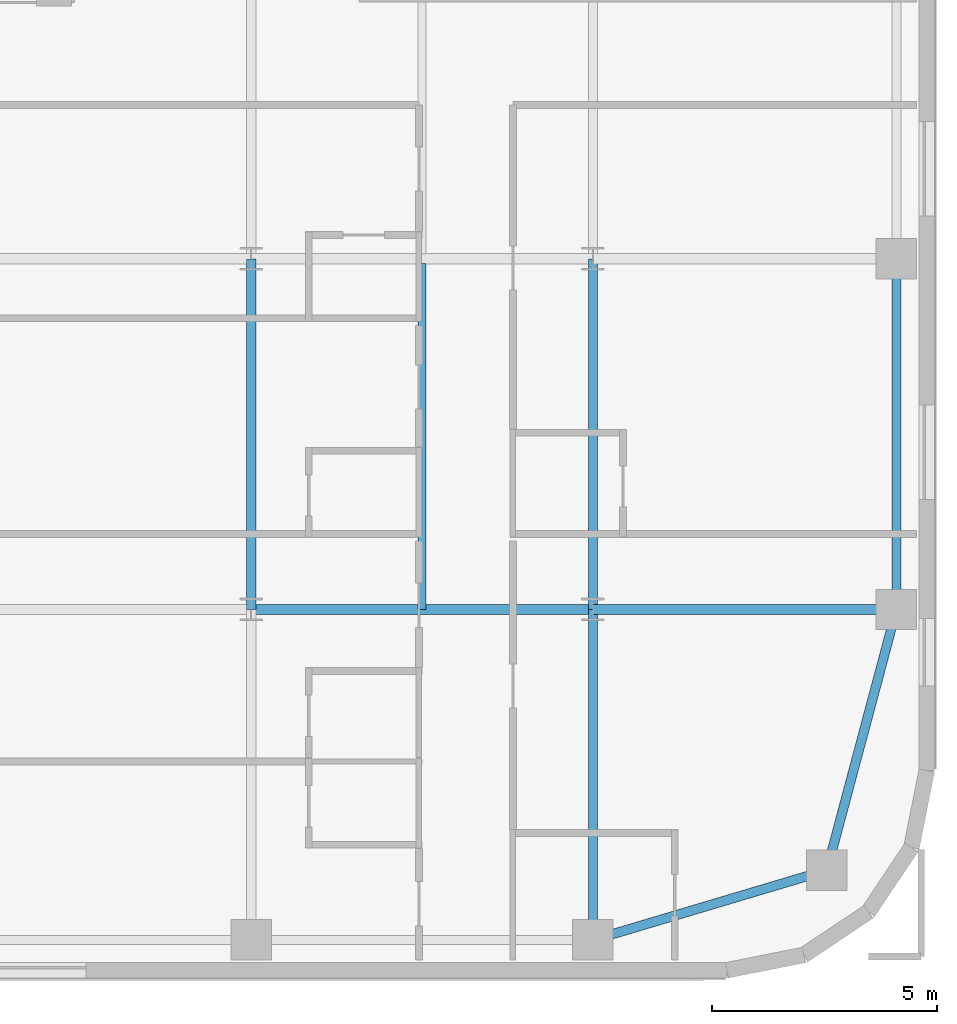
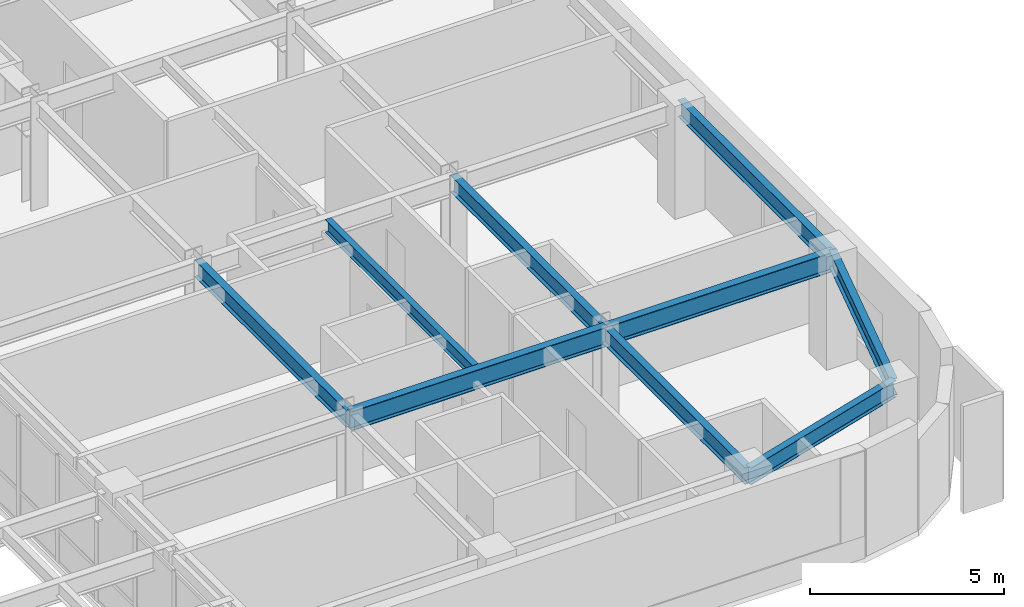
# One storey, part 10 of 24: 9 beams.
"""IFC4 building model written with IfcOpenShell, lengths in metres."""

from ifc_helpers import new_model, si_unit, direction, frame, origin, origin_2d, place, context, subcontext, project, spatial, i_section, extrude, source, transform, mapped, material, material_profile, profile_set, type_object, type_shapes, element, save


model = new_model("IFC4")

# Units and contexts
model_context = context("Model", 3, precision=1e-05, world=origin(), true_north=direction((0.0, 1.0)))
body_context = subcontext(model_context, "Body", "Model", "MODEL_VIEW")
ifc_project = project(units=[si_unit("LENGTHUNIT", "METRE"), si_unit("AREAUNIT", "SQUARE_METRE"), si_unit("VOLUMEUNIT", "CUBIC_METRE"), si_unit("PLANEANGLEUNIT", "RADIAN"), si_unit("MASSUNIT", "GRAM", prefix="KILO")], contexts=[model_context])

# Site, building, storey
site_placement = place(None, origin())
site = spatial("IfcSite", under=ifc_project, at=site_placement, CompositionType="ELEMENT")
building_placement = place(site_placement, origin())
building = spatial("IfcBuilding", under=site, at=building_placement, Name="Tolvann Quenvar Hotel", CompositionType="ELEMENT")
storey_placement = place(building_placement, frame((0.0, 0.0, 118.64990234375)))
storey = spatial("IfcBuildingStorey", under=building, at=storey_placement, Name="L30", CompositionType="ELEMENT", Elevation=118.64990234375)

# Beams
ifc_material = material(Name="Steel Grade 350", Category="steel")
ifc_material_profile_1 = material_profile(ifc_material, i_section(OverallWidth=0.208984375, OverallDepth=0.528076171875, WebThickness=0.009521484375, FlangeThickness=0.01318359375, FilletRadius=0.013916015625, at=origin_2d()), Name="530UB82")
ifc_profile_set_1 = profile_set([ifc_material_profile_1], Name="Steel Grade 350")
beam_type_1 = type_object("IfcBeamType", Name="BM_SPAND_530UB82", PredefinedType="SPANDREL", material=ifc_profile_set_1)
shared_shape_1 = source(origin(), body_context, "Body", "SweptSolid", [
    extrude(i_section(OverallWidth=0.208984375, OverallDepth=0.528076171875, WebThickness=0.009521484375, FlangeThickness=0.01318359375, FilletRadius=0.013916015625, at=origin_2d()), origin(), (0.0, 0.0, 1.0), 5.42626953125),
])
beam_1_placement = place(storey_placement, frame((49.39990234375, 0.85009765625, 3.106201171875), z_axis=(0.958344815522, 0.285613750654, 0.0), x_axis=(-0.285613750654, 0.958344815522, 0.0)))
element("IfcBeam", 1, at=beam_1_placement, inside=storey, type_object=beam_type_1, Name="BM-L30-EW-2-I2-J2", PredefinedType="SPANDREL", context=body_context, shape_type="MappedRepresentation", body=[
    mapped(shared_shape_1, transform((0.0, 0.0, 0.0), x_axis=(1.0, 0.0, 0.0), y_axis=(0.0, 1.0, 0.0), z_axis=(0.0, 0.0, 1.0), scale=1.0)),
])
ifc_material_profile_2 = material_profile(ifc_material, i_section(OverallWidth=0.22900390625, OverallDepth=0.612060546875, WebThickness=0.011962890625, FlangeThickness=0.01953125, FilletRadius=0.013916015625, at=origin_2d()), Name="610UB125")
ifc_profile_set_2 = profile_set([ifc_material_profile_2], Name="Steel Grade 350")
beam_type_2 = type_object("IfcBeamType", Name="BM_GIRD_610UB125", PredefinedType="BEAM", material=ifc_profile_set_2)
shared_shape_2 = source(origin(), body_context, "Body", "SweptSolid", [
    extrude(i_section(OverallWidth=0.22900390625, OverallDepth=0.612060546875, WebThickness=0.011962890625, FlangeThickness=0.01953125, FilletRadius=0.013916015625, at=origin_2d()), origin(), (0.0, 0.0, 1.0), 6.75),
])
beam_2_placement = place(storey_placement, frame((49.39990234375, 8.199951171875, 3.064208984375), z_axis=(1.0, 0.0, 0.0), x_axis=(0.0, 1.0, 0.0)))
element("IfcBeam", 2, at=beam_2_placement, inside=storey, type_object=beam_type_2, Name="BM-L30-EW-3-I3-J3", PredefinedType="BEAM", context=body_context, shape_type="MappedRepresentation", body=[
    mapped(shared_shape_2, transform((0.0, 0.0, 0.0), x_axis=(1.0, 0.0, 0.0), y_axis=(0.0, 1.0, 0.0), z_axis=(0.0, 0.0, 1.0), scale=1.0)),
])
shared_shape_3 = source(origin(), body_context, "Body", "SweptSolid", [
    extrude(i_section(OverallWidth=0.22900390625, OverallDepth=0.612060546875, WebThickness=0.011962890625, FlangeThickness=0.01953125, FilletRadius=0.013916015625, at=origin_2d()), origin(), (0.0, 0.0, 1.0), 7.599853515625),
])
type_shapes(beam_type_2, [shared_shape_2, shared_shape_3])
beam_3_placement = place(storey_placement, frame((41.800048828125, 8.199951171875, 3.064208984375), z_axis=(1.0, 0.0, 0.0), x_axis=(0.0, 1.0, 0.0)))
element("IfcBeam", 3, at=beam_3_placement, inside=storey, type_object=beam_type_2, Name="BM-L30-EW-3-H3-I3", PredefinedType="BEAM", context=body_context, shape_type="MappedRepresentation", body=[
    mapped(shared_shape_3, transform((0.0, 0.0, 0.0), x_axis=(1.0, 0.0, 0.0), y_axis=(0.0, 1.0, 0.0), z_axis=(0.0, 0.0, 1.0), scale=1.0)),
])
shared_shape_4 = source(origin(), body_context, "Body", "SweptSolid", [
    extrude(i_section(OverallWidth=0.208984375, OverallDepth=0.528076171875, WebThickness=0.009521484375, FlangeThickness=0.01318359375, FilletRadius=0.013916015625, at=origin_2d()), origin(), (0.0, 0.0, 1.0), 6.00341796875),
])
beam_4_placement = place(storey_placement, frame((54.60009765625, 2.39990234375, 3.106201171875), z_axis=(0.258148586649, 0.966105225745, 0.0), x_axis=(-0.966105225745, 0.258148586649, 0.0)))
element("IfcBeam", 4, at=beam_4_placement, inside=storey, type_object=beam_type_1, Name="BM-L30-NS-J2-J3", PredefinedType="SPANDREL", context=body_context, shape_type="MappedRepresentation", body=[
    mapped(shared_shape_4, transform((0.0, 0.0, 0.0), x_axis=(1.0, 0.0, 0.0), y_axis=(0.0, 1.0, 0.0), z_axis=(0.0, 0.0, 1.0), scale=1.0)),
])
shared_shape_5 = source(origin(), body_context, "Body", "SweptSolid", [
    extrude(i_section(OverallWidth=0.208984375, OverallDepth=0.528076171875, WebThickness=0.009521484375, FlangeThickness=0.01318359375, FilletRadius=0.013916015625, at=origin_2d()), origin(), (0.0, 0.0, 1.0), 7.800048828125),
])
type_shapes(beam_type_1, [shared_shape_1, shared_shape_4, shared_shape_5])
beam_5_placement = place(storey_placement, frame((56.14990234375, 8.199951171875, 3.106201171875), z_axis=(0.0, 1.0, 0.0), x_axis=(-1.0, 0.0, 0.0)))
element("IfcBeam", 5, at=beam_5_placement, inside=storey, type_object=beam_type_1, Name="BM-L30-NS-J3-J4", PredefinedType="SPANDREL", context=body_context, shape_type="MappedRepresentation", body=[
    mapped(shared_shape_5, transform((0.0, 0.0, 0.0), x_axis=(1.0, 0.0, 0.0), y_axis=(0.0, 1.0, 0.0), z_axis=(0.0, 0.0, 1.0), scale=1.0)),
])
ifc_material_profile_3 = material_profile(ifc_material, i_section(OverallWidth=0.208984375, OverallDepth=0.532958984375, WebThickness=0.01025390625, FlangeThickness=0.015625, FilletRadius=0.013916015625, at=origin_2d()), Name="530UB92")
ifc_profile_set_3 = profile_set([ifc_material_profile_3], Name="Steel Grade 350")
beam_type_3 = type_object("IfcBeamType", Name="BM_GIRD_530UB92", PredefinedType="BEAM", material=ifc_profile_set_3)
shared_shape_6 = source(origin(), body_context, "Body", "SweptSolid", [
    extrude(i_section(OverallWidth=0.208984375, OverallDepth=0.532958984375, WebThickness=0.01025390625, FlangeThickness=0.015625, FilletRadius=0.013916015625, at=origin_2d()), origin(), (0.0, 0.0, 1.0), 7.349853515625),
])
beam_6_placement = place(storey_placement, frame((49.39990234375, 0.85009765625, 3.103515625), z_axis=(0.0, 1.0, 0.0), x_axis=(-1.0, 0.0, 0.0)))
element("IfcBeam", 6, at=beam_6_placement, inside=storey, type_object=beam_type_3, Name="BM-L30-NS-I2-I3", PredefinedType="BEAM", context=body_context, shape_type="MappedRepresentation", body=[
    mapped(shared_shape_6, transform((0.0, 0.0, 0.0), x_axis=(1.0, 0.0, 0.0), y_axis=(0.0, 1.0, 0.0), z_axis=(0.0, 0.0, 1.0), scale=1.0)),
])
shared_shape_7 = source(origin(), body_context, "Body", "SweptSolid", [
    extrude(i_section(OverallWidth=0.208984375, OverallDepth=0.532958984375, WebThickness=0.01025390625, FlangeThickness=0.015625, FilletRadius=0.013916015625, at=origin_2d()), origin(), (0.0, 0.0, 1.0), 7.800048828125),
])
type_shapes(beam_type_3, [shared_shape_6, shared_shape_7])
for number, where, z_axis, x_axis, name in (
    (7, (41.800048828125, 8.199951171875, 3.103515625), (0.0, 1.0, 0.0), (-1.0, 0.0, 0.0), "BM-L30-NS-H3-H4"),
    (8, (49.39990234375, 8.199951171875, 3.103515625), (0.0, 1.0, 0.0), (-1.0, 0.0, 0.0), "BM-L30-NS-I3-I4"),
):
    element("IfcBeam", number, at=place(storey_placement, frame(where, z_axis=z_axis, x_axis=x_axis)), inside=storey, type_object=beam_type_3, Name=name, PredefinedType="BEAM", context=body_context, shape_type="MappedRepresentation", body=[
        mapped(shared_shape_7, transform((0.0, 0.0, 0.0), x_axis=(1.0, 0.0, 0.0), y_axis=(0.0, 1.0, 0.0), z_axis=(0.0, 0.0, 1.0), scale=1.0)),
    ])
ifc_material_profile_4 = material_profile(ifc_material, i_section(OverallWidth=0.177978515625, OverallDepth=0.406005859375, WebThickness=0.0078125, FlangeThickness=0.0126953125, FilletRadius=0.011474609375, at=origin_2d()), Name="410UB60")
ifc_profile_set_4 = profile_set([ifc_material_profile_4], Name="Steel Grade 350")
beam_type_4 = type_object("IfcBeamType", Name="BM_JOIST_410UB60", PredefinedType="JOIST", material=ifc_profile_set_4)
shared_shape_8 = source(origin(), body_context, "Body", "SweptSolid", [
    extrude(i_section(OverallWidth=0.177978515625, OverallDepth=0.406005859375, WebThickness=0.0078125, FlangeThickness=0.0126953125, FilletRadius=0.011474609375, at=origin_2d()), origin(), (0.0, 0.0, 1.0), 7.691650390625),
])
type_shapes(beam_type_4, [shared_shape_8])
beam_7_placement = place(storey_placement, frame((45.60009765625, 8.199951171875, 3.1669921875), z_axis=(0.0, 1.0, 0.0), x_axis=(-1.0, 0.0, 0.0)))
element("IfcBeam", 9, at=beam_7_placement, inside=storey, type_object=beam_type_4, Name="BJ-L30-456-82", PredefinedType="JOIST", context=body_context, shape_type="MappedRepresentation", body=[
    mapped(shared_shape_8, transform((0.0, 0.0, 0.0), x_axis=(1.0, 0.0, 0.0), y_axis=(0.0, 1.0, 0.0), z_axis=(0.0, 0.0, 1.0), scale=1.0)),
])

save(model, "model.ifc")
